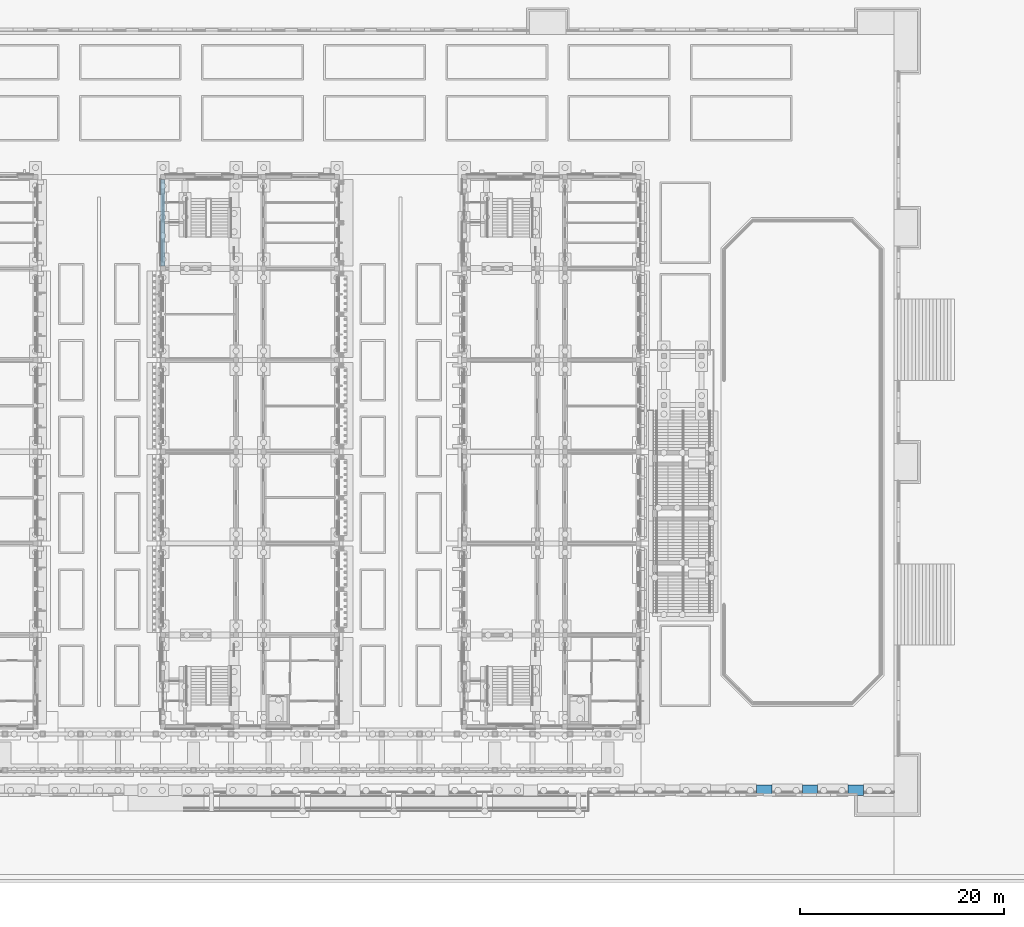
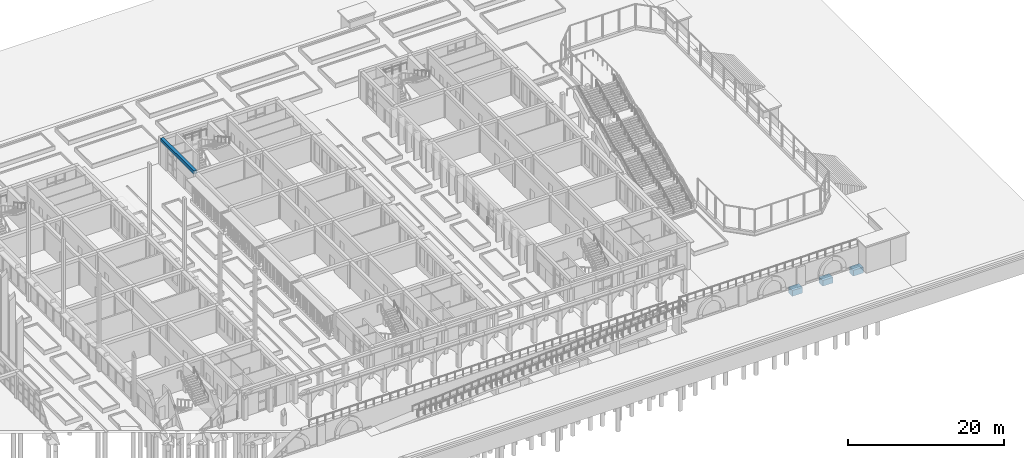
# One storey, part 37 of 161: 4 beams.
"""IFC4 building model written with IfcOpenShell, lengths in metres."""

from ifc_helpers import new_model, si_unit, direction, frame, origin, origin_2d, place, context, subcontext, project, spatial, rectangle, extrude, material, material_profile, profile_set, type_object, element, save


model = new_model("IFC4")

# Units and contexts
model_context = context("Model", 3, precision=1e-05, world=origin(), true_north=direction((0.0, 1.0)))
body_context = subcontext(model_context, "Body", "Model", "MODEL_VIEW")
ifc_project = project(units=[si_unit("LENGTHUNIT", "METRE"), si_unit("AREAUNIT", "SQUARE_METRE"), si_unit("VOLUMEUNIT", "CUBIC_METRE"), si_unit("PLANEANGLEUNIT", "RADIAN"), si_unit("MASSUNIT", "GRAM", prefix="KILO")], contexts=[model_context])

# Site, building, storey
site_placement = place(None, origin())
site = spatial("IfcSite", under=ifc_project, at=site_placement, CompositionType="ELEMENT")
building_placement = place(site_placement, origin())
building = spatial("IfcBuilding", under=site, at=building_placement, Name="Elbe Cascade School", CompositionType="ELEMENT")
storey_placement = place(building_placement, origin())
storey = spatial("IfcBuildingStorey", under=building, at=storey_placement, Name="L00", CompositionType="ELEMENT", Elevation=0.0)

# Beams
ifc_material_1 = material(Name="Concrete C30/37", Category="concrete")
ifc_material_profile_1 = material_profile(ifc_material_1, rectangle(XDim=1.0, YDim=0.89990234375, at=origin_2d()), Name="RC 1000x900")
ifc_profile_set_1 = profile_set([ifc_material_profile_1], Name="Concrete C30/37")
beam_type_1 = type_object("IfcBeamType", Name="Found ground beam RC 1000x900", PredefinedType="BEAM", material=ifc_profile_set_1)
for number, where, z_axis, x_axis, name in (
    (1, (186.5, -0.25, -3.85009765625), (1.0, 0.0, 0.0), (0.0, 1.0, 0.0), "Ground beam 028"),
    (2, (191.0, -0.25, -3.85009765625), (1.0, 0.0, 0.0), (0.0, 1.0, 0.0), "Ground beam 029"),
    (3, (195.5, -0.25, -3.85009765625), (1.0, 0.0, 0.0), (0.0, 1.0, 0.0), "Ground beam 030"),
):
    element("IfcBeam", number, at=place(storey_placement, frame(where, z_axis=z_axis, x_axis=x_axis)), inside=storey, type_object=beam_type_1, Name=name, PredefinedType="BEAM", context=body_context, shape_type="SweptSolid", body=[
        extrude(rectangle(XDim=1.0, YDim=0.89990234375, at=origin_2d()), origin(), (0.0, 0.0, 1.0), 1.5),
    ])
ifc_material_2 = material(Name="Concrete C30/37", Category="concrete")
ifc_material_profile_2 = material_profile(ifc_material_2, rectangle(XDim=0.449951171875, YDim=0.5, at=origin_2d()), Name="RC 450x500")
ifc_profile_set_2 = profile_set([ifc_material_profile_2], Name="Concrete C30/37")
beam_type_2 = type_object("IfcBeamType", Name="RC 450x500 beam", PredefinedType="BEAM", material=ifc_profile_set_2)
beam_placement = place(storey_placement, frame((128.199951171875, 51.25, 4.0), z_axis=(0.0, 1.0, 0.0), x_axis=(-1.0, 0.0, 0.0)))
element("IfcBeam", 4, at=beam_placement, inside=storey, type_object=beam_type_2, Name="RC 450x500 beam B9", PredefinedType="BEAM", context=body_context, shape_type="SweptSolid", body=[
    extrude(rectangle(XDim=0.449951171875, YDim=0.5, at=origin_2d()), origin(), (0.0, 0.0, 1.0), 8.5),
])

save(model, "model.ifc")
